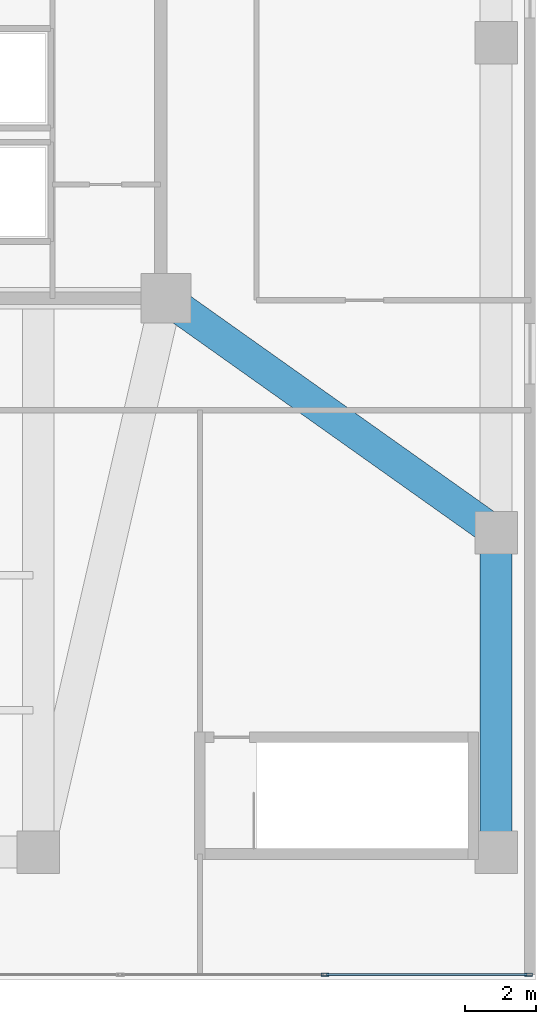
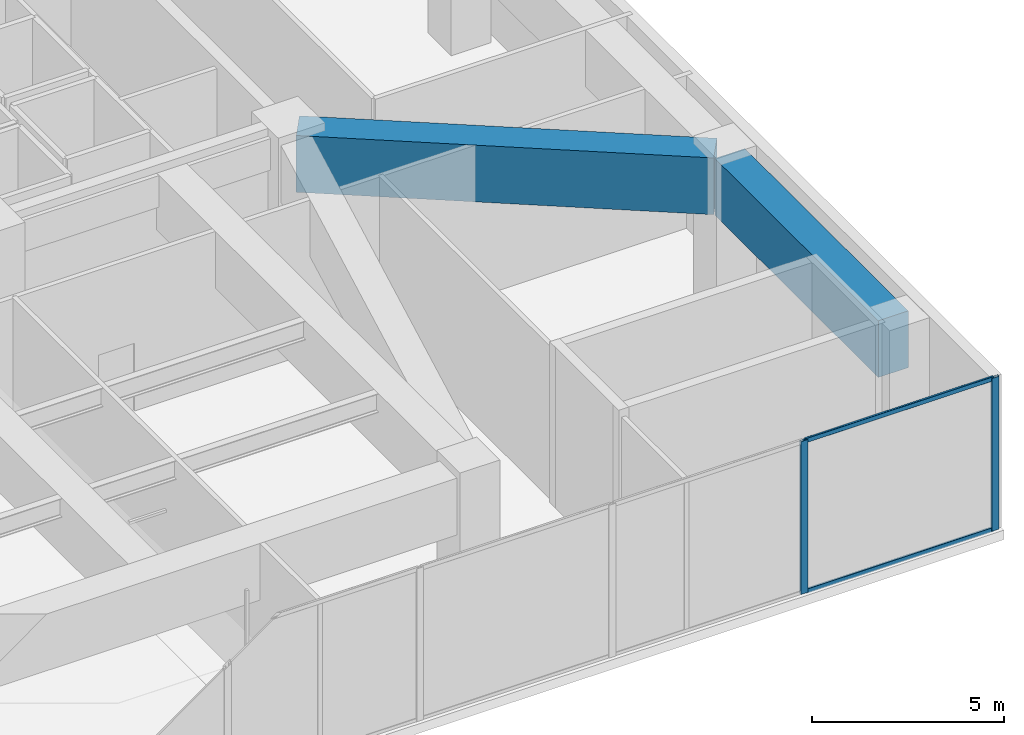
# One storey, part 8 of 21: 4 members, 2 beams, 1 element without a shape of its own.
"""IFC4 building model written with IfcOpenShell, lengths in metres."""

from ifc_helpers import new_model, si_unit, direction, frame, origin, origin_2d, place, context, subcontext, project, spatial, rectangle, hollow_rectangle, extrude, material, layer, layer_set, material_profile, profile_set, type_object, element, aggregate, save


model = new_model("IFC4")

# Units and contexts
model_context = context("Model", 3, precision=1e-05, world=origin(), true_north=direction((0.0, 1.0)))
body_context = subcontext(model_context, "Body", "Model", "MODEL_VIEW")
ifc_project = project(units=[si_unit("LENGTHUNIT", "METRE"), si_unit("AREAUNIT", "SQUARE_METRE"), si_unit("VOLUMEUNIT", "CUBIC_METRE"), si_unit("PLANEANGLEUNIT", "RADIAN"), si_unit("MASSUNIT", "GRAM", prefix="KILO")], contexts=[model_context])

# Site, building, storey
site_placement = place(None, origin())
site = spatial("IfcSite", under=ifc_project, at=site_placement, CompositionType="ELEMENT")
building_placement = place(site_placement, origin())
building = spatial("IfcBuilding", under=site, at=building_placement, Name="Tarnavaz Court Tower", CompositionType="ELEMENT")
storey_placement = place(building_placement, frame((0.0, 0.0, 18.89990234375)))
storey = spatial("IfcBuildingStorey", under=building, at=storey_placement, Name="L04", CompositionType="ELEMENT", Elevation=18.89990234375)

# Beams
ifc_material_1 = material(Name="Concrete C50/60", Category="concrete")
ifc_material_profile_1 = material_profile(ifc_material_1, rectangle(XDim=0.89990234375, YDim=1.800048828125, at=origin_2d()), Name="RC 900X1800")
ifc_profile_set_1 = profile_set([ifc_material_profile_1], Name="Concrete C50/60")
beam_type = type_object("IfcBeamType", Name="BM-TG1800", PredefinedType="USERDEFINED", material=ifc_profile_set_1)
beam_1_placement = place(storey_placement, frame((27.89990234375, -22.550048828125, 3.9501953125), z_axis=(0.0, 1.0, 0.0), x_axis=(-1.0, 0.0, 0.0)))
element("IfcBeam", 1, at=beam_1_placement, inside=storey, type_object=beam_type, Name="L04 Beam PM-PM-SE-PM-E1", ObjectType="GIRDER", PredefinedType="USERDEFINED", context=body_context, shape_type="SweptSolid", body=[
    extrude(rectangle(XDim=0.89990234375, YDim=1.800048828125, at=origin_2d()), origin(), (0.0, 0.0, 1.0), 8.5),
])
beam_2_placement = place(storey_placement, frame((18.803955078125, -7.3447265625, 3.9501953125), z_axis=(0.815505781161, -0.578748927336, 0.0), x_axis=(0.578748927336, 0.815505781161, 0.0)))
element("IfcBeam", 2, at=beam_2_placement, inside=storey, type_object=beam_type, Name="L04 Beam PM-CE-SO-PM-E1", ObjectType="GIRDER", PredefinedType="USERDEFINED", context=body_context, shape_type="SweptSolid", body=[
    extrude(rectangle(XDim=0.89990234375, YDim=1.800048828125, at=origin_2d()), origin(), (0.0, 0.0, 1.0), 10.90380859375),
])

# Curtain wall, members
ifc_material_2 = material(Name="Anodised Aluminium 6063-T6 and Solar Low-E Glazing", Category="aluminium")
ifc_layer = layer(ifc_material_2, 0.18994140625)
ifc_layer_set = layer_set([ifc_layer], Name="Anodised Aluminium 6063-T6 and Solar Low-E Glazing")
curtain_wall_type = type_object("IfcCurtainWallType", Name="CW-SYS-01", PredefinedType="NOTDEFINED", material=ifc_layer_set)
curtain_wall_placement = place(storey_placement, origin())
curtain_wall = element("IfcCurtainWall", 3, at=curtain_wall_placement, inside=storey, type_object=curtain_wall_type, Name="L04 Clinic South Curtain Wall 3", PredefinedType="NOTDEFINED")
ifc_material_3 = material(Name="Anodised Aluminium 6063-T6", Category="aluminium")
ifc_material_profile_2 = material_profile(ifc_material_3, hollow_rectangle(XDim=0.0849609375, YDim=0.219970703125, WallThickness=0.006103515625, InnerFilletRadius=0.006103515625, OuterFilletRadius=0.011962890625, at=origin_2d()), Name="ALU RHS 220X85X6")
ifc_profile_set_2 = profile_set([ifc_material_profile_2], Name="Anodised Aluminium 6063-T6")
member_type_1 = type_object("IfcMemberType", Name="CW-MUL-220", PredefinedType="MULLION", material=ifc_profile_set_2)
member_1_placement = place(storey_placement, frame((28.8076171875, -26.25, 0.0), z_axis=(0.0, 0.0, 1.0), x_axis=(0.0, -1.0, 0.0)))
member_1 = element("IfcMember", 4, at=member_1_placement, type_object=member_type_1, Name="CW mullion 1", PredefinedType="MULLION", context=body_context, shape_type="SweptSolid", body=[
    extrude(hollow_rectangle(XDim=0.0849609375, YDim=0.219970703125, WallThickness=0.006103515625, InnerFilletRadius=0.006103515625, OuterFilletRadius=0.011962890625, at=origin_2d()), origin(), (0.0, 0.0, 1.0), 4.85009765625),
])
member_2_placement = place(storey_placement, frame((23.080078125, -26.25, 0.0), z_axis=(0.0, 0.0, 1.0), x_axis=(0.0, -1.0, 0.0)))
member_2 = element("IfcMember", 5, at=member_2_placement, type_object=member_type_1, Name="CW mullion 2", PredefinedType="MULLION", context=body_context, shape_type="SweptSolid", body=[
    extrude(hollow_rectangle(XDim=0.0849609375, YDim=0.219970703125, WallThickness=0.006103515625, InnerFilletRadius=0.006103515625, OuterFilletRadius=0.011962890625, at=origin_2d()), origin(), (0.0, 0.0, 1.0), 4.85009765625),
])
ifc_material_profile_3 = material_profile(ifc_material_3, hollow_rectangle(XDim=0.06494140625, YDim=0.139892578125, WallThickness=0.00390625, InnerFilletRadius=0.00390625, OuterFilletRadius=0.008056640625, at=origin_2d()), Name="ALU RHS 140X65X4")
ifc_profile_set_3 = profile_set([ifc_material_profile_3], Name="Anodised Aluminium 6063-T6")
member_type_2 = type_object("IfcMemberType", Name="CW-TRN-140", PredefinedType="USERDEFINED", material=ifc_profile_set_3)
member_3_placement = place(storey_placement, frame((28.764892578125, -26.25, 0.03271484375), z_axis=(-1.0, 0.0, 0.0), x_axis=(0.0, -1.0, 0.0)))
member_3 = element("IfcMember", 6, at=member_3_placement, type_object=member_type_2, Name="CW transom 1.1", ObjectType="TRANSOM", PredefinedType="USERDEFINED", context=body_context, shape_type="SweptSolid", body=[
    extrude(hollow_rectangle(XDim=0.06494140625, YDim=0.139892578125, WallThickness=0.00390625, InnerFilletRadius=0.00390625, OuterFilletRadius=0.008056640625, at=origin_2d()), origin(), (0.0, 0.0, 1.0), 5.642333984375),
])
member_4_placement = place(storey_placement, frame((28.764892578125, -26.25, 4.817626953125), z_axis=(-1.0, 0.0, 0.0), x_axis=(0.0, -1.0, 0.0)))
member_4 = element("IfcMember", 7, at=member_4_placement, type_object=member_type_2, Name="CW transom 1.2", ObjectType="TRANSOM", PredefinedType="USERDEFINED", context=body_context, shape_type="SweptSolid", body=[
    extrude(hollow_rectangle(XDim=0.06494140625, YDim=0.139892578125, WallThickness=0.00390625, InnerFilletRadius=0.00390625, OuterFilletRadius=0.008056640625, at=origin_2d()), origin(), (0.0, 0.0, 1.0), 5.642333984375),
])
aggregate(curtain_wall, [member_1, member_2, member_3, member_4])

save(model, "model.ifc")
